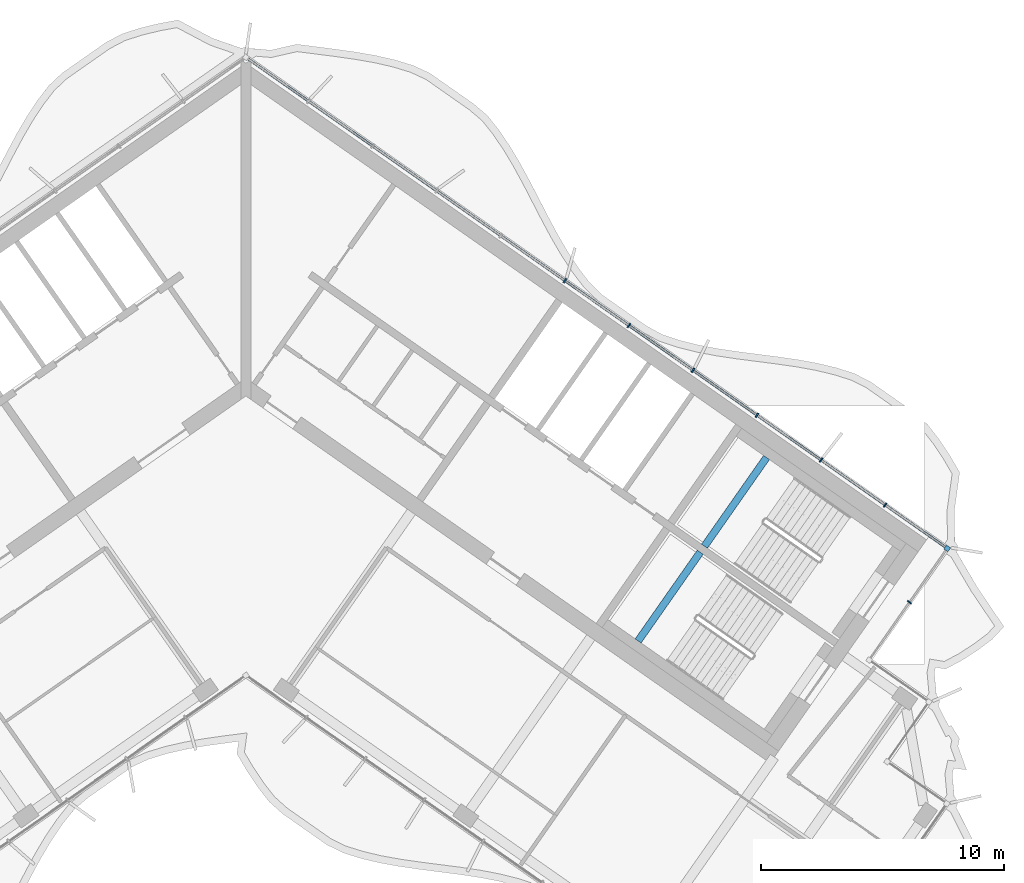
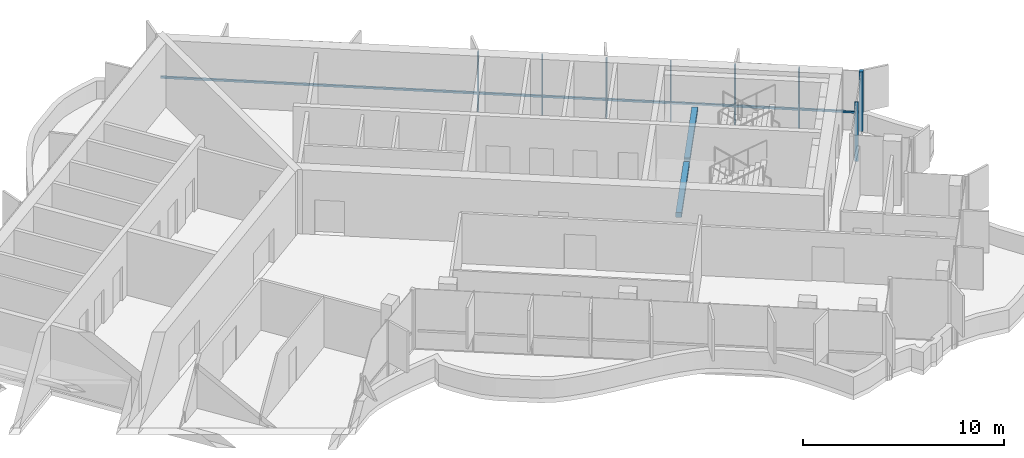
# One storey, part 5 of 18: 9 members, 2 beams, 1 element without a shape of its own.
"""IFC4 building model written with IfcOpenShell, lengths in metres."""

from ifc_helpers import new_model, si_unit, direction, frame, origin, origin_2d, place, context, subcontext, project, spatial, rectangle, extrude, material, material_profile, profile_set, type_object, element, aggregate, save


model = new_model("IFC4")

# Units and contexts
model_context = context("Model", 3, precision=1e-05, world=origin(), true_north=direction((0.0, 1.0)))
body_context = subcontext(model_context, "Body", "Model", "MODEL_VIEW")
ifc_project = project(units=[si_unit("LENGTHUNIT", "METRE"), si_unit("AREAUNIT", "SQUARE_METRE"), si_unit("VOLUMEUNIT", "CUBIC_METRE"), si_unit("PLANEANGLEUNIT", "RADIAN"), si_unit("MASSUNIT", "GRAM", prefix="KILO")], contexts=[model_context])

# Site, building, storey
site_placement = place(None, origin())
site = spatial("IfcSite", under=ifc_project, at=site_placement, CompositionType="ELEMENT")
building_placement = place(site_placement, origin())
building = spatial("IfcBuilding", under=site, at=building_placement, Name="Tel Ilan Convention Tower", CompositionType="ELEMENT")
storey_placement = place(building_placement, frame((0.0, 0.0, 303.39990234375)))
storey = spatial("IfcBuildingStorey", under=building, at=storey_placement, Name="L72", CompositionType="ELEMENT", Elevation=303.39990234375)

# Curtain wall, members
ifc_material_1 = material(Name="Aluminium, bronze anodised", Category="aluminium")
curtain_wall_type = type_object("IfcCurtainWallType", Name="CW2 STICK CURTAIN WALL, SPANDREL PANELS", PredefinedType="NOTDEFINED", material=ifc_material_1)
curtain_wall_placement = place(storey_placement, origin())
curtain_wall = element("IfcCurtainWall", 1, at=curtain_wall_placement, inside=storey, type_object=curtain_wall_type, Name="Curtain wall CW2-54.01", PredefinedType="NOTDEFINED")
ifc_material_2 = material(Name="Aluminium, bronze anodised", Category="aluminium")
ifc_material_profile_1 = material_profile(ifc_material_2, rectangle(XDim=0.199951171875, YDim=0.199951171875, at=origin_2d()), Name="CW CORNER MULLION 200x200")
ifc_profile_set_1 = profile_set([ifc_material_profile_1], Name="Aluminium, bronze anodised")
member_type_1 = type_object("IfcMemberType", Name="CW CORNER MULLION 200x200", PredefinedType="MULLION", material=ifc_profile_set_1)
member_1_placement = place(storey_placement, frame((28.819580078125, -7.483642578125, 0.0), z_axis=(0.0, 0.0, 1.0), x_axis=(0.573576436351, 0.819152044289, 0.0)))
member_1 = element("IfcMember", 2, at=member_1_placement, type_object=member_type_1, Name="Corner mullion", PredefinedType="MULLION", context=body_context, shape_type="SweptSolid", body=[
    extrude(rectangle(XDim=0.199951171875, YDim=0.199951171875, at=origin_2d()), origin(), (0.0, 0.0, 1.0), 3.6201171875),
])
ifc_material_3 = material(Name="Aluminium, bronze anodised", Category="aluminium")
ifc_material_profile_2 = material_profile(ifc_material_3, rectangle(XDim=0.06005859375, YDim=0.199951171875, at=origin_2d()), Name="CW MULLION 60x200")
ifc_profile_set_2 = profile_set([ifc_material_profile_2], Name="Aluminium, bronze anodised")
member_type_2 = type_object("IfcMemberType", Name="CW MULLION 60x200", PredefinedType="MULLION", material=ifc_profile_set_2)
member_2_placement = place(storey_placement, frame((27.27099609375, -9.6953125, 0.0), z_axis=(0.0, 0.0, 1.0), x_axis=(0.573576436351, 0.819152044289, 0.0)))
member_2 = element("IfcMember", 3, at=member_2_placement, type_object=member_type_2, Name="Mullion", PredefinedType="MULLION", context=body_context, shape_type="SweptSolid", body=[
    extrude(rectangle(XDim=0.06005859375, YDim=0.199951171875, at=origin_2d()), origin(), (0.0, 0.0, 1.0), 3.6201171875),
])
member_3_placement = place(storey_placement, frame((26.268798828125, -5.697509765625, 0.0), z_axis=(0.0, 0.0, 1.0), x_axis=(-0.819152044289, 0.573576436351, 0.0)))
member_3 = element("IfcMember", 4, at=member_3_placement, type_object=member_type_2, Name="Mullion", PredefinedType="MULLION", context=body_context, shape_type="SweptSolid", body=[
    extrude(rectangle(XDim=0.06005859375, YDim=0.199951171875, at=origin_2d()), origin(), (0.0, 0.0, 1.0), 3.6201171875),
])
member_4_placement = place(storey_placement, frame((23.63623046875, -3.854248046875, 0.0), z_axis=(0.0, 0.0, 1.0), x_axis=(-0.819152044289, 0.573576436351, 0.0)))
member_4 = element("IfcMember", 5, at=member_4_placement, type_object=member_type_2, Name="Mullion", PredefinedType="MULLION", context=body_context, shape_type="SweptSolid", body=[
    extrude(rectangle(XDim=0.06005859375, YDim=0.199951171875, at=origin_2d()), origin(), (0.0, 0.0, 1.0), 3.6201171875),
])
member_5_placement = place(storey_placement, frame((21.003662109375, -2.0107421875, 0.0), z_axis=(0.0, 0.0, 1.0), x_axis=(-0.819152044289, 0.573576436351, 0.0)))
member_5 = element("IfcMember", 6, at=member_5_placement, type_object=member_type_2, Name="Mullion", PredefinedType="MULLION", context=body_context, shape_type="SweptSolid", body=[
    extrude(rectangle(XDim=0.06005859375, YDim=0.199951171875, at=origin_2d()), origin(), (0.0, 0.0, 1.0), 3.6201171875),
])
member_6_placement = place(storey_placement, frame((18.37109375, -0.16748046875, 0.0), z_axis=(0.0, 0.0, 1.0), x_axis=(-0.819152044289, 0.573576436351, 0.0)))
member_6 = element("IfcMember", 7, at=member_6_placement, type_object=member_type_2, Name="Mullion", PredefinedType="MULLION", context=body_context, shape_type="SweptSolid", body=[
    extrude(rectangle(XDim=0.06005859375, YDim=0.199951171875, at=origin_2d()), origin(), (0.0, 0.0, 1.0), 3.6201171875),
])
member_7_placement = place(storey_placement, frame((15.73828125, 1.676025390625, 0.0), z_axis=(0.0, 0.0, 1.0), x_axis=(-0.819152044289, 0.573576436351, 0.0)))
member_7 = element("IfcMember", 8, at=member_7_placement, type_object=member_type_2, Name="Mullion", PredefinedType="MULLION", context=body_context, shape_type="SweptSolid", body=[
    extrude(rectangle(XDim=0.06005859375, YDim=0.199951171875, at=origin_2d()), origin(), (0.0, 0.0, 1.0), 3.6201171875),
])
member_8_placement = place(storey_placement, frame((13.105712890625, 3.519287109375, 0.0), z_axis=(0.0, 0.0, 1.0), x_axis=(-0.819152044289, 0.573576436351, 0.0)))
member_8 = element("IfcMember", 9, at=member_8_placement, type_object=member_type_2, Name="Mullion", PredefinedType="MULLION", context=body_context, shape_type="SweptSolid", body=[
    extrude(rectangle(XDim=0.06005859375, YDim=0.199951171875, at=origin_2d()), origin(), (0.0, 0.0, 1.0), 3.6201171875),
])
ifc_material_4 = material(Name="Aluminium, bronze anodised", Category="aluminium")
ifc_material_profile_3 = material_profile(ifc_material_4, rectangle(XDim=0.10009765625, YDim=0.1201171875, at=origin_2d()), Name="CW TRANSOM 100x120")
ifc_profile_set_3 = profile_set([ifc_material_profile_3], Name="Aluminium, bronze anodised")
member_type_3 = type_object("IfcMemberType", Name="CW TRANSOM 100x120", PredefinedType="USERDEFINED", material=ifc_profile_set_3)
member_9_placement = place(storey_placement, frame((28.737548828125, -7.42626953125, 1.10009765625), z_axis=(-0.819150201937, 0.573579067494, 0.0), x_axis=(-0.573579067494, -0.819150201937, 0.0)))
member_9 = element("IfcMember", 10, at=member_9_placement, type_object=member_type_3, Name="Transom", ObjectType="TRANSOM", PredefinedType="USERDEFINED", context=body_context, shape_type="SweptSolid", body=[
    extrude(rectangle(XDim=0.10009765625, YDim=0.1201171875, at=origin_2d()), origin(), (0.0, 0.0, 1.0), 34.9521484375),
])
aggregate(curtain_wall, [member_2, member_1, member_3, member_4, member_5, member_6, member_7, member_8, member_9])

# Beams
ifc_material_5 = material(Name="Concrete C40/50", Category="concrete")
ifc_material_profile_4 = material_profile(ifc_material_5, rectangle(XDim=0.300048828125, YDim=0.300048828125, at=origin_2d()), Name="RC 300x300")
ifc_profile_set_4 = profile_set([ifc_material_profile_4], Name="Concrete C40/50")
beam_type = type_object("IfcBeamType", Name="Landing Beam RC 300x300 Concrete C40/50", PredefinedType="BEAM", material=ifc_profile_set_4)
beam_1_placement = place(storey_placement, frame((21.39404296875, -3.7490234375, 1.60009765625), z_axis=(-0.573547030514, -0.819172633691, 0.0), x_axis=(0.819172633691, -0.573547030514, 0.0)))
element("IfcBeam", 11, at=beam_1_placement, inside=storey, type_object=beam_type, Name="S3 landing beam L72.1", PredefinedType="BEAM", context=body_context, shape_type="SweptSolid", body=[
    extrude(rectangle(XDim=0.300048828125, YDim=0.300048828125, at=origin_2d()), origin(), (0.0, 0.0, 1.0), 4.449951171875),
])
beam_2_placement = place(storey_placement, frame((18.669677734375, -7.64013671875, 1.60009765625), z_axis=(-0.573583844845, -0.819146856756, 0.0), x_axis=(0.819146856756, -0.573583844845, 0.0)))
element("IfcBeam", 12, at=beam_2_placement, inside=storey, type_object=beam_type, Name="S4 landing beam L72.1", PredefinedType="BEAM", context=body_context, shape_type="SweptSolid", body=[
    extrude(rectangle(XDim=0.300048828125, YDim=0.300048828125, at=origin_2d()), origin(), (0.0, 0.0, 1.0), 4.4501953125),
])

save(model, "model.ifc")
